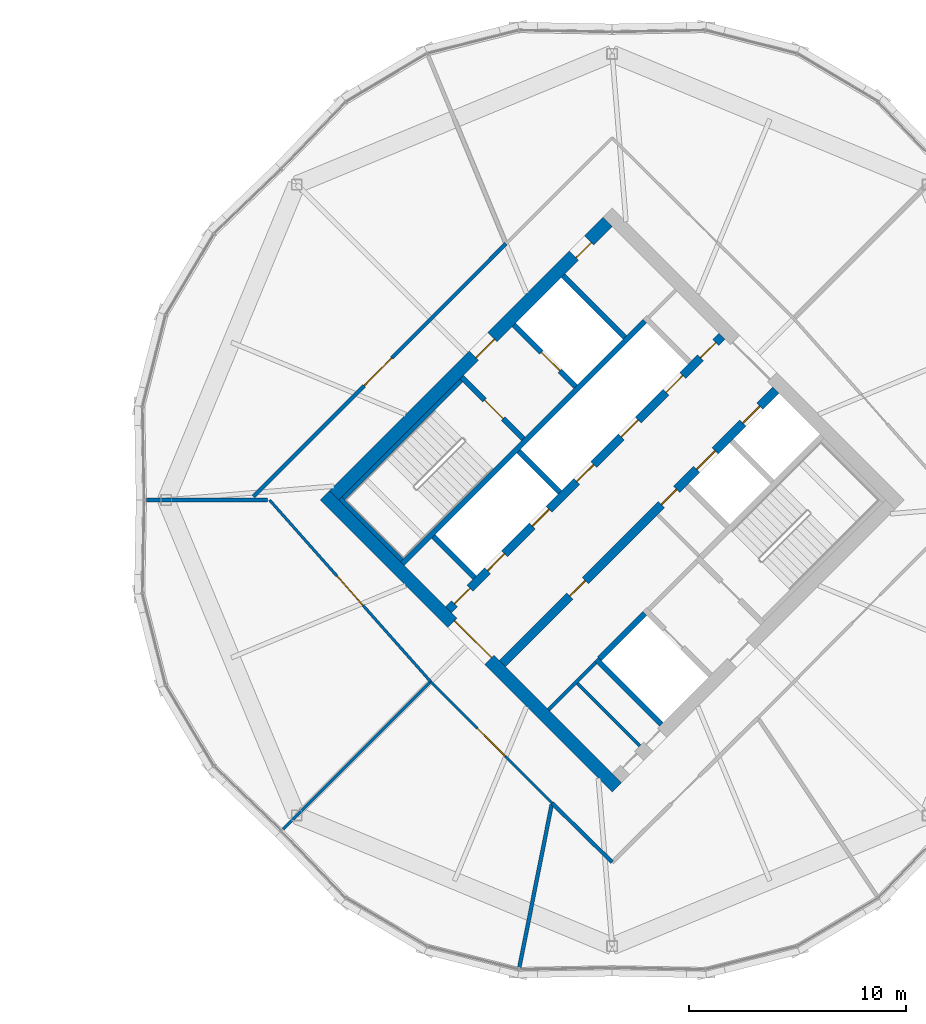
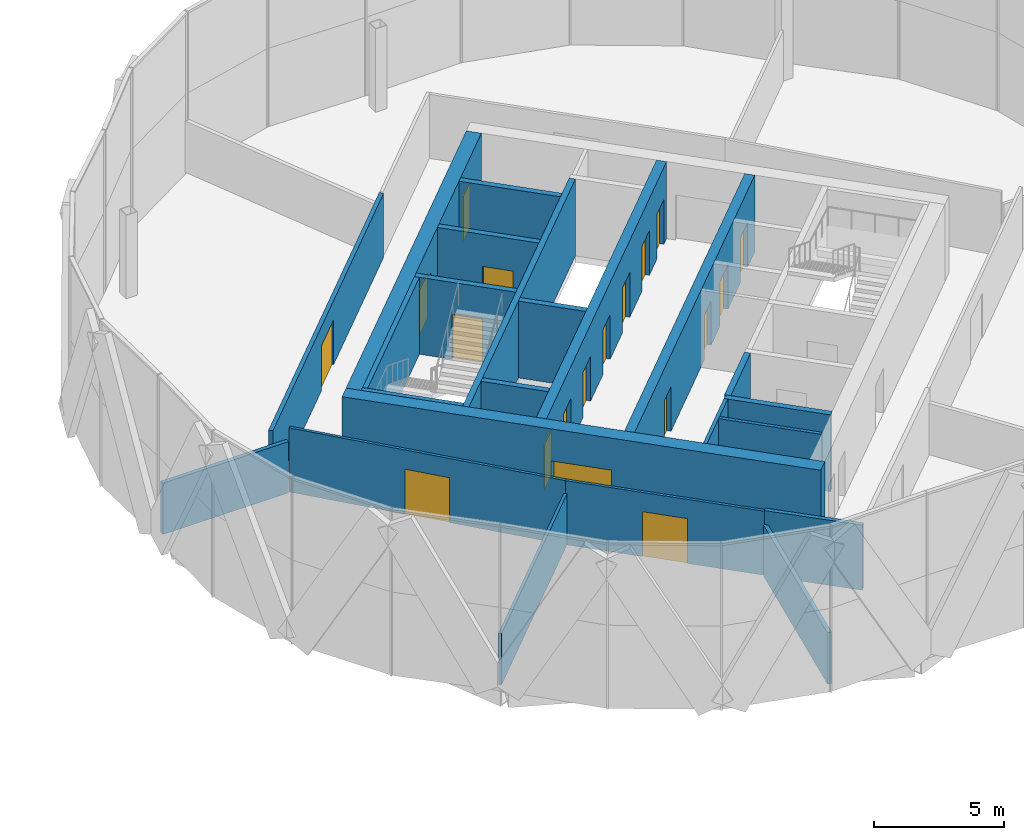
# One storey, part 21 of 27: 23 walls, 19 doors, 19 openings.
"""IFC4 building model written with IfcOpenShell, lengths in metres."""

from ifc_helpers import new_model, si_unit, direction, frame, frame_2d, origin, place, context, subcontext, project, spatial, rectangle, extrude, material, layer, layer_set, type_object, element, fill, save


model = new_model("IFC4")

# Units and contexts
model_context = context("Model", 3, precision=1e-05, world=origin(), true_north=direction((0.0, 1.0)))
body_context = subcontext(model_context, "Body", "Model", "MODEL_VIEW")
ifc_project = project(units=[si_unit("LENGTHUNIT", "METRE"), si_unit("AREAUNIT", "SQUARE_METRE"), si_unit("VOLUMEUNIT", "CUBIC_METRE"), si_unit("PLANEANGLEUNIT", "RADIAN"), si_unit("MASSUNIT", "GRAM", prefix="KILO")], contexts=[model_context])

# Site, building, storey
site_placement = place(None, origin())
site = spatial("IfcSite", under=ifc_project, at=site_placement, CompositionType="ELEMENT")
building_placement = place(site_placement, origin())
building = spatial("IfcBuilding", under=site, at=building_placement, Name="Ogive Gate Towers", CompositionType="ELEMENT")
storey_placement = place(building_placement, frame((0.0, 0.0, 189.0)))
storey = spatial("IfcBuildingStorey", under=building, at=storey_placement, Name="L45", CompositionType="ELEMENT", Elevation=189.0)

# Walls
ifc_material_1 = material(Name="Gypsum board acoustic partition")
ifc_layer_1 = layer(ifc_material_1, 0.175048828125)
ifc_layer_set_1 = layer_set([ifc_layer_1], Name="Acoustic partition 175")
wall_type_1 = type_object("IfcWallType", Name="Acoustic partition 175", PredefinedType="PARTITIONING", material=ifc_layer_set_1)
wall_1_placement = place(storey_placement, frame((14.5810546875, 0.0, 0.0), z_axis=(0.0, 0.0, 1.0), x_axis=(1.0, 0.0, 0.0)))
element("IfcWall", 1, at=wall_1_placement, inside=storey, type_object=wall_type_1, Name="Partition T2-L45-004", PredefinedType="PARTITIONING", context=body_context, shape_type="SweptSolid", body=[
    extrude(rectangle(XDim=5.571533203125, YDim=0.175048828125, at=frame_2d((2.78564453125, 0.0))), origin(), (0.0, 0.0, 1.0), 2.39990234375),
])
wall_2_placement = place(storey_placement, frame((31.731689453125, -21.5, 0.0), z_axis=(0.0, 0.0, 1.0), x_axis=(0.19472988684, 0.980856906573, 0.0)))
element("IfcWall", 2, at=wall_2_placement, inside=storey, type_object=wall_type_1, Name="Partition T2-L45-006", PredefinedType="PARTITIONING", context=body_context, shape_type="SweptSolid", body=[
    extrude(rectangle(XDim=7.62158203125, YDim=0.175048828125, at=frame_2d((3.810791015625, 0.0))), origin(), (0.0, 0.0, 1.0), 2.39990234375),
])
wall_3_placement = place(storey_placement, frame((33.23291015625, -13.9384765625, 0.0), z_axis=(0.0, 0.0, 1.0), x_axis=(0.713026824881, -0.701136753423, 0.0)))
element("IfcWall", 3, at=wall_3_placement, inside=storey, type_object=wall_type_1, Name="Partition T2-L45-011", PredefinedType="PARTITIONING", context=body_context, shape_type="SweptSolid", body=[
    extrude(rectangle(XDim=3.880859375, YDim=0.175048828125, at=frame_2d((1.9404296875, 0.0))), origin(), (0.0, 0.0, 1.0), 3.050048828125),
])

# Wall, opening, door
wall_4_placement = place(storey_placement, frame((31.11669921875, 11.789794921875, 0.0), z_axis=(0.0, 0.0, 1.0), x_axis=(-0.706698338797, -0.707514987786, 0.0)))
wall_4 = element("IfcWall", 4, at=wall_4_placement, inside=storey, type_object=wall_type_1, Name="Partition T2-L45-016", PredefinedType="PARTITIONING", context=body_context, shape_type="SweptSolid", body=[
    extrude(rectangle(XDim=16.4423828125, YDim=0.175048828125, at=frame_2d((8.22119140625, 0.0))), origin(), (0.0, 0.0, 1.0), 3.0),
])
opening_1_placement = place(wall_4_placement, frame((7.431884765625, 0.0, 0.0)))
opening_1 = element("IfcOpeningElement", 5, at=opening_1_placement, cuts=wall_4, Name="Opening T2-L45-D07", PredefinedType="OPENING", context=body_context, shape_type="SweptSolid", body=[
    extrude(rectangle(XDim=1.800048828125, YDim=2.10009765625, at=frame_2d((0.89990234375, 1.050048828125))), frame((0.0, 0.09765625, 0.0), z_axis=(0.0, -1.0, 0.0), x_axis=(1.0, 0.0, 0.0)), (0.0, 0.0, 1.0), 0.195068359375),
])
ifc_material_2 = material(Name="Timber door", Category="wood")
door_type_1 = type_object("IfcDoorType", Name="Door pair 1800", OperationType="NOTDEFINED", PredefinedType="DOOR", material=ifc_material_2)
door_1_placement = place(opening_1_placement, origin())
door_1 = element("IfcDoor", 6, at=door_1_placement, inside=storey, type_object=door_type_1, Name="Door T2-L45-D07", OperationType="DOUBLE_DOOR_DOUBLE_SWING", OverallHeight=2.10009765625, OverallWidth=1.800048828125, PredefinedType="DOOR", context=body_context, shape_type="SweptSolid", body=[
    extrude(rectangle(XDim=1.800048828125, YDim=2.10009765625, at=frame_2d((0.89990234375, 1.050048828125))), frame((0.0, 0.02490234375, 0.0), z_axis=(0.0, -1.0, 0.0), x_axis=(1.0, 0.0, 0.0)), (0.0, 0.0, 1.0), 0.050048828125),
])
fill(opening_1, door_1)

# Wall, openings, doors
ifc_material_3 = material(Name="Concrete C60/75", Category="concrete")
ifc_layer_2 = layer(ifc_material_3, 0.60009765625)
ifc_layer_set_2 = layer_set([ifc_layer_2], Name="Core wall 600 mm")
wall_type_2 = type_object("IfcWallType", Name="Core wall 600 mm", PredefinedType="SHEAR", material=ifc_layer_set_2)
wall_5_placement = place(storey_placement, frame((23.201416015625, 0.212158203125, 0.0), z_axis=(0.0, 0.0, 1.0), x_axis=(0.707106781187, 0.707106781187, 0.0)))
wall_5 = element("IfcWall", 7, at=wall_5_placement, inside=storey, type_object=wall_type_2, Name="T2 L45 Core wall 600 mm", PredefinedType="SHEAR", context=body_context, shape_type="SweptSolid", body=[
    extrude(rectangle(XDim=17.7998046875, YDim=0.60009765625, at=frame_2d((8.89990234375, 0.0))), origin(), (0.0, 0.0, 1.0), 3.60009765625),
])
opening_2_placement = place(wall_5_placement, frame((9.10009765625, 0.0, 0.0)))
opening_2 = element("IfcOpeningElement", 8, at=opening_2_placement, cuts=wall_5, Name="Opening KD-T2-L45-18", PredefinedType="OPENING", context=body_context, shape_type="SweptSolid", body=[
    extrude(rectangle(XDim=1.199951171875, YDim=2.10009765625, at=frame_2d((0.60009765625, 1.050048828125))), frame((0.0, 0.31005859375, 0.0), z_axis=(0.0, -1.0, 0.0), x_axis=(1.0, 0.0, 0.0)), (0.0, 0.0, 1.0), 0.6201171875),
])
opening_3_placement = place(wall_5_placement, frame((15.60009765625, 0.0, 0.0)))
opening_3 = element("IfcOpeningElement", 9, at=opening_3_placement, cuts=wall_5, Name="Opening KD-T2-L45-20", PredefinedType="OPENING", context=body_context, shape_type="SweptSolid", body=[
    extrude(rectangle(XDim=1.0, YDim=2.10009765625, at=frame_2d((0.5, 1.050048828125))), frame((0.0, 0.31005859375, 0.0), z_axis=(0.0, -1.0, 0.0), x_axis=(1.0, 0.0, 0.0)), (0.0, 0.0, 1.0), 0.6201171875),
])
door_type_2 = type_object("IfcDoorType", Name="Accessible WC door 1000 x 2100", OperationType="NOTDEFINED", PredefinedType="DOOR", material=ifc_material_2)
door_2_placement = place(opening_3_placement, origin())
door_2 = element("IfcDoor", 10, at=door_2_placement, inside=storey, type_object=door_type_2, Name="T2 L45 Core door", OperationType="SINGLE_SWING_LEFT", OverallHeight=2.10009765625, OverallWidth=1.0, PredefinedType="DOOR", context=body_context, shape_type="SweptSolid", body=[
    extrude(rectangle(XDim=1.0, YDim=2.10009765625, at=frame_2d((0.5, 1.050048828125))), frame((0.0, -0.125, 0.0), z_axis=(0.0, -1.0, 0.0), x_axis=(1.0, 0.0, 0.0)), (0.0, 0.0, 1.0), 0.050048828125),
])
fill(opening_3, door_2)
ifc_material_4 = material(Name="Steel fire door", Category="steel")
door_type_3 = type_object("IfcDoorType", Name="Core door FD60S 1200 x 2100", OperationType="NOTDEFINED", PredefinedType="DOOR", material=ifc_material_4)
door_3_placement = place(opening_2_placement, origin())
door_3 = element("IfcDoor", 11, at=door_3_placement, inside=storey, type_object=door_type_3, Name="T2 L45 Fire-fighting lobby door", OperationType="SINGLE_SWING_LEFT", OverallHeight=2.10009765625, OverallWidth=1.199951171875, PredefinedType="DOOR", context=body_context, shape_type="SweptSolid", body=[
    extrude(rectangle(XDim=1.199951171875, YDim=2.10009765625, at=frame_2d((0.60009765625, 1.050048828125))), frame((0.0, -0.125, 0.0), z_axis=(0.0, -1.0, 0.0), x_axis=(1.0, 0.0, 0.0)), (0.0, 0.0, 1.0), 0.050048828125),
])
fill(opening_2, door_3)

# Wall, opening, door
wall_6_placement = place(storey_placement, frame((36.212158203125, -13.222900390625, 0.0), z_axis=(0.0, 0.0, 1.0), x_axis=(-0.707106781187, 0.707106781187, 0.0)))
wall_6 = element("IfcWall", 12, at=wall_6_placement, inside=storey, type_object=wall_type_2, Name="T2 L45 Core wall 600 mm", PredefinedType="SHEAR", context=body_context, shape_type="SweptSolid", body=[
    extrude(rectangle(XDim=19.0, YDim=0.60009765625, at=frame_2d((9.5, 0.0))), origin(), (0.0, 0.0, 1.0), 3.60009765625),
])
opening_4_placement = place(wall_6_placement, frame((8.300048828125, 0.0, 0.0)))
opening_4 = element("IfcOpeningElement", 13, at=opening_4_placement, cuts=wall_6, Name="Opening KD-T2-L45-01", PredefinedType="OPENING", context=body_context, shape_type="SweptSolid", body=[
    extrude(rectangle(XDim=2.39990234375, YDim=2.10009765625, at=frame_2d((1.199951171875, 1.050048828125))), frame((0.0, 0.31005859375, 0.0), z_axis=(0.0, -1.0, 0.0), x_axis=(1.0, 0.0, 0.0)), (0.0, 0.0, 1.0), 0.6201171875),
])
door_type_4 = type_object("IfcDoorType", Name="Core double door FD60S 2400 x 2100", OperationType="DOUBLE_DOOR_SINGLE_SWING", PredefinedType="DOOR", material=ifc_material_4)
door_4_placement = place(opening_4_placement, origin())
door_4 = element("IfcDoor", 14, at=door_4_placement, inside=storey, type_object=door_type_4, Name="T2 L45 Core door double", OperationType="DOUBLE_DOOR_SINGLE_SWING", OverallHeight=2.10009765625, OverallWidth=2.39990234375, PredefinedType="DOOR", context=body_context, shape_type="SweptSolid", body=[
    extrude(rectangle(XDim=2.39990234375, YDim=2.10009765625, at=frame_2d((1.199951171875, 1.050048828125))), frame((0.0, -0.125, 0.0), z_axis=(0.0, -1.0, 0.0), x_axis=(1.0, 0.0, 0.0)), (0.0, 0.0, 1.0), 0.050048828125),
])
fill(opening_4, door_4)

# Wall
ifc_material_5 = material(Name="Gypsum board partition")
ifc_layer_3 = layer(ifc_material_5, 0.125)
ifc_layer_set_3 = layer_set([ifc_layer_3], Name="Partition 125")
wall_type_3 = type_object("IfcWallType", Name="Partition 125", PredefinedType="PARTITIONING", material=ifc_layer_set_3)
wall_7_placement = place(storey_placement, frame((20.751708984375, -15.248291015625, 0.0), z_axis=(0.0, 0.0, 1.0), x_axis=(0.707106781187, 0.707106781187, 0.0)))
element("IfcWall", 15, at=wall_7_placement, inside=storey, type_object=wall_type_3, Name="Partition T2-L45-005", PredefinedType="PARTITIONING", context=body_context, shape_type="SweptSolid", body=[
    extrude(rectangle(XDim=9.69189453125, YDim=0.125, at=frame_2d((4.845947265625, 0.0))), origin(), (0.0, 0.0, 1.0), 2.39990234375),
])

# Wall, opening, door
wall_8_placement = place(storey_placement, frame((20.239990234375, 0.0, 0.0), z_axis=(0.0, 0.0, 1.0), x_axis=(0.663674010549, -0.748021929974, 0.0)))
wall_8 = element("IfcWall", 16, at=wall_8_placement, inside=storey, type_object=wall_type_3, Name="Partition T2-L45-008", PredefinedType="PARTITIONING", context=body_context, shape_type="SweptSolid", body=[
    extrude(rectangle(XDim=11.163818359375, YDim=0.125, at=frame_2d((5.58203125, 0.0))), origin(), (0.0, 0.0, 1.0), 3.0),
])
opening_5_placement = place(wall_8_placement, frame((4.681884765625, 0.0, 0.0)))
opening_5 = element("IfcOpeningElement", 17, at=opening_5_placement, cuts=wall_8, Name="Opening T2-L45-D01", PredefinedType="OPENING", context=body_context, shape_type="SweptSolid", body=[
    extrude(rectangle(XDim=1.800048828125, YDim=2.10009765625, at=frame_2d((0.89990234375, 1.050048828125))), frame((0.0, 0.072509765625, 0.0), z_axis=(0.0, -1.0, 0.0), x_axis=(1.0, 0.0, 0.0)), (0.0, 0.0, 1.0), 0.14501953125),
])
door_5_placement = place(opening_5_placement, origin())
door_5 = element("IfcDoor", 18, at=door_5_placement, inside=storey, type_object=door_type_1, Name="Door T2-L45-D01", OperationType="DOUBLE_DOOR_DOUBLE_SWING", OverallHeight=2.10009765625, OverallWidth=1.800048828125, PredefinedType="DOOR", context=body_context, shape_type="SweptSolid", body=[
    extrude(rectangle(XDim=1.800048828125, YDim=2.10009765625, at=frame_2d((0.89990234375, 1.050048828125))), frame((0.0, 0.02490234375, 0.0), z_axis=(0.0, -1.0, 0.0), x_axis=(1.0, 0.0, 0.0)), (0.0, 0.0, 1.0), 0.050048828125),
])
fill(opening_5, door_5)

wall_9_placement = place(storey_placement, frame((27.649169921875, -8.350830078125, 0.0), z_axis=(0.0, 0.0, 1.0), x_axis=(0.706859487034, -0.707353988884, 0.0)))
wall_9 = element("IfcWall", 19, at=wall_9_placement, inside=storey, type_object=wall_type_3, Name="Partition T2-L45-009", PredefinedType="PARTITIONING", context=body_context, shape_type="SweptSolid", body=[
    extrude(rectangle(XDim=7.8994140625, YDim=0.125, at=frame_2d((3.94970703125, 0.0))), origin(), (0.0, 0.0, 1.0), 3.0),
])
opening_6_placement = place(wall_9_placement, frame((3.050048828125, 0.0, 0.0)))
opening_6 = element("IfcOpeningElement", 20, at=opening_6_placement, cuts=wall_9, Name="Opening T2-L45-D02", PredefinedType="OPENING", context=body_context, shape_type="SweptSolid", body=[
    extrude(rectangle(XDim=1.800048828125, YDim=2.10009765625, at=frame_2d((0.89990234375, 1.050048828125))), frame((0.0, 0.072509765625, 0.0), z_axis=(0.0, -1.0, 0.0), x_axis=(1.0, 0.0, 0.0)), (0.0, 0.0, 1.0), 0.14501953125),
])
door_6_placement = place(opening_6_placement, origin())
door_6 = element("IfcDoor", 21, at=door_6_placement, inside=storey, type_object=door_type_1, Name="Door T2-L45-D02", OperationType="DOUBLE_DOOR_DOUBLE_SWING", OverallHeight=2.10009765625, OverallWidth=1.800048828125, PredefinedType="DOOR", context=body_context, shape_type="SweptSolid", body=[
    extrude(rectangle(XDim=1.800048828125, YDim=2.10009765625, at=frame_2d((0.89990234375, 1.050048828125))), frame((0.0, 0.02490234375, 0.0), z_axis=(0.0, -1.0, 0.0), x_axis=(1.0, 0.0, 0.0)), (0.0, 0.0, 1.0), 0.050048828125),
])
fill(opening_6, door_6)

# Walls
ifc_layer_4 = layer(ifc_material_5, 0.14990234375)
ifc_layer_set_4 = layer_set([ifc_layer_4], Name="Room partition 150 mm")
wall_type_4 = type_object("IfcWallType", Name="Room partition 150 mm", PredefinedType="PARTITIONING", material=ifc_layer_set_4)
wall_10_placement = place(storey_placement, frame((33.0654296875, -9.652099609375, 0.0), z_axis=(0.0, 0.0, 1.0), x_axis=(0.707146476181, 0.707067083964, 0.0)))
element("IfcWall", 22, at=wall_10_placement, inside=storey, type_object=wall_type_4, Name="T2 L45 Room partition 150 mm", PredefinedType="PARTITIONING", context=body_context, shape_type="SweptSolid", body=[
    extrude(rectangle(XDim=3.0751953125, YDim=0.14990234375, at=frame_2d((1.53759765625, 0.0))), origin(), (0.0, 0.0, 1.0), 3.60009765625),
])
wall_11_placement = place(storey_placement, frame((37.272705078125, -11.313720703125, 0.0), z_axis=(0.0, 0.0, 1.0), x_axis=(-0.707076824747, 0.707136736357, 0.0)))
element("IfcWall", 23, at=wall_11_placement, inside=storey, type_object=wall_type_4, Name="T2 L45 Room partition 150 mm", PredefinedType="PARTITIONING", context=body_context, shape_type="SweptSolid", body=[
    extrude(rectangle(XDim=4.074951171875, YDim=0.14990234375, at=frame_2d((2.03759765625, 0.0))), origin(), (0.0, 0.0, 1.0), 3.60009765625),
])
ifc_layer_5 = layer(ifc_material_3, 0.25)
ifc_layer_set_5 = layer_set([ifc_layer_5], Name="Shaft wall 250 mm")
wall_type_5 = type_object("IfcWallType", Name="Shaft wall 250 mm", PredefinedType="SHEAR", material=ifc_layer_set_5)
wall_12_placement = place(storey_placement, frame((35.41650390625, -7.30078125, 0.0), z_axis=(0.0, 0.0, 1.0), x_axis=(0.707148157867, 0.707065402085, 0.0)))
element("IfcWall", 24, at=wall_12_placement, inside=storey, type_object=wall_type_5, Name="T2 L45 Shaft wall 250 mm", PredefinedType="SHEAR", context=body_context, shape_type="SweptSolid", body=[
    extrude(rectangle(XDim=2.9501953125, YDim=0.25, at=frame_2d((1.47509765625, 0.0))), origin(), (0.0, 0.0, 1.0), 3.60009765625),
])
wall_13_placement = place(storey_placement, frame((26.347900390625, -2.9345703125, 0.0), z_axis=(0.0, 0.0, 1.0), x_axis=(0.707106781187, 0.707106781187, 0.0)))
element("IfcWall", 25, at=wall_13_placement, inside=storey, type_object=wall_type_5, Name="T2 L45 Shaft wall 250 mm", PredefinedType="SHEAR", context=body_context, shape_type="SweptSolid", body=[
    extrude(rectangle(XDim=15.775146484375, YDim=0.25, at=frame_2d((7.8876953125, 0.0))), origin(), (0.0, 0.0, 1.0), 3.60009765625),
])
wall_14_placement = place(storey_placement, frame((29.67138671875, -3.57080078125, 0.0), z_axis=(0.0, 0.0, 1.0), x_axis=(-0.707152414227, 0.707061145201, 0.0)))
element("IfcWall", 26, at=wall_14_placement, inside=storey, type_object=wall_type_5, Name="T2 L45 Shaft wall 250 mm", PredefinedType="SHEAR", context=body_context, shape_type="SweptSolid", body=[
    extrude(rectangle(XDim=2.675048828125, YDim=0.25, at=frame_2d((1.33740234375, 0.0))), origin(), (0.0, 0.0, 1.0), 3.60009765625),
])
wall_15_placement = place(storey_placement, frame((38.2626953125, -10.32373046875, 0.0), z_axis=(0.0, 0.0, 1.0), x_axis=(-0.707106781187, 0.707106781187, 0.0)))
element("IfcWall", 27, at=wall_15_placement, inside=storey, type_object=wall_type_5, Name="T2 L45 Shaft wall 250 mm", PredefinedType="SHEAR", context=body_context, shape_type="SweptSolid", body=[
    extrude(rectangle(XDim=4.22509765625, YDim=0.25, at=frame_2d((2.112548828125, 0.0))), origin(), (0.0, 0.0, 1.0), 3.60009765625),
])
wall_16_placement = place(storey_placement, frame((33.595703125, 0.353515625, 0.0), z_axis=(0.0, 0.0, 1.0), x_axis=(-0.707061145201, 0.707152414227, 0.0)))
element("IfcWall", 28, at=wall_16_placement, inside=storey, type_object=wall_type_5, Name="T2 L45 Shaft wall 250 mm", PredefinedType="SHEAR", context=body_context, shape_type="SweptSolid", body=[
    extrude(rectangle(XDim=2.675048828125, YDim=0.25, at=frame_2d((1.33740234375, 0.0))), origin(), (0.0, 0.0, 1.0), 3.60009765625),
])

# Wall, opening, door
wall_17_placement = place(storey_placement, frame((31.91650390625, 2.810791015625, 0.0), z_axis=(0.0, 0.0, 1.0), x_axis=(-0.707106781187, 0.707106781187, 0.0)))
wall_17 = element("IfcWall", 29, at=wall_17_placement, inside=storey, type_object=wall_type_5, Name="T2 L45 Shaft wall 250 mm", PredefinedType="SHEAR", context=body_context, shape_type="SweptSolid", body=[
    extrude(rectangle(XDim=4.025146484375, YDim=0.25, at=frame_2d((2.0126953125, 0.0))), origin(), (0.0, 0.0, 1.0), 3.60009765625),
])
opening_7_placement = place(wall_17_placement, frame((1.324951171875, 0.0, 0.0)))
opening_7 = element("IfcOpeningElement", 30, at=opening_7_placement, cuts=wall_17, Name="Opening KD-T2-L45-16", PredefinedType="OPENING", context=body_context, shape_type="SweptSolid", body=[
    extrude(rectangle(XDim=1.199951171875, YDim=2.10009765625, at=frame_2d((0.60009765625, 1.050048828125))), frame((0.0, 0.135009765625, 0.0), z_axis=(0.0, -1.0, 0.0), x_axis=(1.0, 0.0, 0.0)), (0.0, 0.0, 1.0), 0.27001953125),
])
door_7_placement = place(opening_7_placement, origin())
door_7 = element("IfcDoor", 31, at=door_7_placement, inside=storey, type_object=door_type_3, Name="T2 L45 Stair door", OperationType="SINGLE_SWING_LEFT", OverallHeight=2.10009765625, OverallWidth=1.199951171875, PredefinedType="DOOR", context=body_context, shape_type="SweptSolid", body=[
    extrude(rectangle(XDim=1.199951171875, YDim=2.10009765625, at=frame_2d((0.60009765625, 1.050048828125))), frame((0.0, 0.02490234375, 0.0), z_axis=(0.0, -1.0, 0.0), x_axis=(1.0, 0.0, 0.0)), (0.0, 0.0, 1.0), 0.050048828125),
])
fill(opening_7, door_7)

wall_18_placement = place(storey_placement, frame((34.320556640625, 5.21484375, 0.0), z_axis=(0.0, 0.0, 1.0), x_axis=(-0.70707645213, 0.707137108942, 0.0)))
wall_18 = element("IfcWall", 32, at=wall_18_placement, inside=storey, type_object=wall_type_5, Name="T2 L45 Shaft wall 250 mm", PredefinedType="SHEAR", context=body_context, shape_type="SweptSolid", body=[
    extrude(rectangle(XDim=4.02490234375, YDim=0.25, at=frame_2d((2.012451171875, 0.0))), origin(), (0.0, 0.0, 1.0), 3.60009765625),
])
opening_8_placement = place(wall_18_placement, frame((1.02490234375, 0.0, 0.0)))
opening_8 = element("IfcOpeningElement", 33, at=opening_8_placement, cuts=wall_18, Name="Opening LD-T2-L45-12", PredefinedType="OPENING", context=body_context, shape_type="SweptSolid", body=[
    extrude(rectangle(XDim=1.199951171875, YDim=2.10009765625, at=frame_2d((0.60009765625, 1.050048828125))), frame((0.0, 0.135009765625, 0.0), z_axis=(0.0, -1.0, 0.0), x_axis=(1.0, 0.0, 0.0)), (0.0, 0.0, 1.0), 0.27001953125),
])
ifc_material_6 = material(Name="Stainless steel landing door", Category="steel")
door_type_5 = type_object("IfcDoorType", Name="Landing door 1200 x 2100", OperationType="SLIDING_TO_LEFT", PredefinedType="DOOR", material=ifc_material_6)
door_8_placement = place(opening_8_placement, origin())
door_8 = element("IfcDoor", 34, at=door_8_placement, inside=storey, type_object=door_type_5, Name="T2 L45 Lift landing door FF1", OperationType="SLIDING_TO_LEFT", OverallHeight=2.10009765625, OverallWidth=1.199951171875, PredefinedType="DOOR", context=body_context, shape_type="SweptSolid", body=[
    extrude(rectangle(XDim=1.199951171875, YDim=2.10009765625, at=frame_2d((0.60009765625, 1.050048828125))), frame((0.0, 0.02490234375, 0.0), z_axis=(0.0, -1.0, 0.0), x_axis=(1.0, 0.0, 0.0)), (0.0, 0.0, 1.0), 0.050048828125),
])
fill(opening_8, door_8)

# Wall
wall_19_placement = place(storey_placement, frame((36.58349609375, 7.477783203125, 0.0), z_axis=(0.0, 0.0, 1.0), x_axis=(-0.707137108942, 0.70707645213, 0.0)))
element("IfcWall", 35, at=wall_19_placement, inside=storey, type_object=wall_type_5, Name="T2 L45 Shaft wall 250 mm", PredefinedType="SHEAR", context=body_context, shape_type="SweptSolid", body=[
    extrude(rectangle(XDim=4.02490234375, YDim=0.25, at=frame_2d((2.012451171875, 0.0))), origin(), (0.0, 0.0, 1.0), 3.60009765625),
])

# Wall, openings, doors
ifc_layer_6 = layer(ifc_material_3, 0.39990234375)
ifc_layer_set_6 = layer_set([ifc_layer_6], Name="Spine wall 400 mm")
wall_type_6 = type_object("IfcWallType", Name="Spine wall 400 mm", PredefinedType="SHEAR", material=ifc_layer_set_6)
wall_20_placement = place(storey_placement, frame((30.944091796875, -7.53076171875, 0.0), z_axis=(0.0, 0.0, 1.0), x_axis=(0.707106781187, 0.707106781187, 0.0)))
wall_20 = element("IfcWall", 36, at=wall_20_placement, inside=storey, type_object=wall_type_6, Name="T2 L45 Spine wall 400 mm", PredefinedType="SHEAR", context=body_context, shape_type="SweptSolid", body=[
    extrude(rectangle(XDim=17.80029296875, YDim=0.39990234375, at=frame_2d((8.900146484375, 0.0))), origin(), (0.0, 0.0, 1.0), 3.60009765625),
])
opening_9_placement = place(wall_20_placement, frame((12.64990234375, 0.0, 0.0)))
opening_9 = element("IfcOpeningElement", 37, at=opening_9_placement, cuts=wall_20, Name="Opening LD-T2-L45-10", PredefinedType="OPENING", context=body_context, shape_type="SweptSolid", body=[
    extrude(rectangle(XDim=1.199951171875, YDim=2.10009765625, at=frame_2d((0.60009765625, 1.050048828125))), frame((0.0, 0.2099609375, 0.0), z_axis=(0.0, -1.0, 0.0), x_axis=(1.0, 0.0, 0.0)), (0.0, 0.0, 1.0), 0.419921875),
])
opening_10_placement = place(wall_20_placement, frame((15.64990234375, 0.0, 0.0)))
opening_10 = element("IfcOpeningElement", 38, at=opening_10_placement, cuts=wall_20, Name="Opening LD-T2-L45-11", PredefinedType="OPENING", context=body_context, shape_type="SweptSolid", body=[
    extrude(rectangle(XDim=1.10009765625, YDim=2.10009765625, at=frame_2d((0.550048828125, 1.050048828125))), frame((0.0, 0.2099609375, 0.0), z_axis=(0.0, -1.0, 0.0), x_axis=(1.0, 0.0, 0.0)), (0.0, 0.0, 1.0), 0.419921875),
])
opening_11_placement = place(wall_20_placement, frame((4.39990234375, 0.0, 0.0)))
opening_11 = element("IfcOpeningElement", 39, at=opening_11_placement, cuts=wall_20, Name="Opening KD-T2-L45-14", PredefinedType="OPENING", context=body_context, shape_type="SweptSolid", body=[
    extrude(rectangle(XDim=1.0, YDim=2.10009765625, at=frame_2d((0.5, 1.050048828125))), frame((0.0, 0.2099609375, 0.0), z_axis=(0.0, -1.0, 0.0), x_axis=(1.0, 0.0, 0.0)), (0.0, 0.0, 1.0), 0.419921875),
])
opening_12_placement = place(wall_20_placement, frame((10.35009765625, 0.0, 0.0)))
opening_12 = element("IfcOpeningElement", 40, at=opening_12_placement, cuts=wall_20, Name="Opening KD-T2-L45-15", PredefinedType="OPENING", context=body_context, shape_type="SweptSolid", body=[
    extrude(rectangle(XDim=1.0, YDim=2.10009765625, at=frame_2d((0.5, 1.050048828125))), frame((0.0, 0.2099609375, 0.0), z_axis=(0.0, -1.0, 0.0), x_axis=(1.0, 0.0, 0.0)), (0.0, 0.0, 1.0), 0.419921875),
])
door_type_6 = type_object("IfcDoorType", Name="Core door FD60S 1000 x 2100", OperationType="NOTDEFINED", PredefinedType="DOOR", material=ifc_material_4)
door_9_placement = place(opening_11_placement, origin())
door_9 = element("IfcDoor", 41, at=door_9_placement, inside=storey, type_object=door_type_6, Name="T2 L45 Core door", OperationType="SINGLE_SWING_LEFT", OverallHeight=2.10009765625, OverallWidth=1.0, PredefinedType="DOOR", context=body_context, shape_type="SweptSolid", body=[
    extrude(rectangle(XDim=1.0, YDim=2.10009765625, at=frame_2d((0.5, 1.050048828125))), frame((0.0, 0.02490234375, 0.0), z_axis=(0.0, -1.0, 0.0), x_axis=(1.0, 0.0, 0.0)), (0.0, 0.0, 1.0), 0.050048828125),
])
fill(opening_11, door_9)
door_10_placement = place(opening_12_placement, origin())
door_10 = element("IfcDoor", 42, at=door_10_placement, inside=storey, type_object=door_type_6, Name="T2 L45 Core door", OperationType="SINGLE_SWING_RIGHT", OverallHeight=2.10009765625, OverallWidth=1.0, PredefinedType="DOOR", context=body_context, shape_type="SweptSolid", body=[
    extrude(rectangle(XDim=1.0, YDim=2.10009765625, at=frame_2d((0.5, 1.050048828125))), frame((0.0, 0.02490234375, 0.0), z_axis=(0.0, -1.0, 0.0), x_axis=(1.0, 0.0, 0.0)), (0.0, 0.0, 1.0), 0.050048828125),
])
fill(opening_12, door_10)
door_type_7 = type_object("IfcDoorType", Name="Landing door 1100 x 2100", OperationType="SLIDING_TO_LEFT", PredefinedType="DOOR", material=ifc_material_6)
door_11_placement = place(opening_10_placement, origin())
door_11 = element("IfcDoor", 43, at=door_11_placement, inside=storey, type_object=door_type_7, Name="T2 L45 Lift landing door B6", OperationType="SLIDING_TO_LEFT", OverallHeight=2.10009765625, OverallWidth=1.10009765625, PredefinedType="DOOR", context=body_context, shape_type="SweptSolid", body=[
    extrude(rectangle(XDim=1.10009765625, YDim=2.10009765625, at=frame_2d((0.550048828125, 1.050048828125))), frame((0.0, 0.02490234375, 0.0), z_axis=(0.0, -1.0, 0.0), x_axis=(1.0, 0.0, 0.0)), (0.0, 0.0, 1.0), 0.050048828125),
])
fill(opening_10, door_11)
door_12_placement = place(opening_9_placement, origin())
door_12 = element("IfcDoor", 44, at=door_12_placement, inside=storey, type_object=door_type_5, Name="T2 L45 Lift landing door SVC", OperationType="SLIDING_TO_LEFT", OverallHeight=2.10009765625, OverallWidth=1.199951171875, PredefinedType="DOOR", context=body_context, shape_type="SweptSolid", body=[
    extrude(rectangle(XDim=1.199951171875, YDim=2.10009765625, at=frame_2d((0.60009765625, 1.050048828125))), frame((0.0, 0.02490234375, 0.0), z_axis=(0.0, -1.0, 0.0), x_axis=(1.0, 0.0, 0.0)), (0.0, 0.0, 1.0), 0.050048828125),
])
fill(opening_9, door_12)

wall_21_placement = place(storey_placement, frame((28.46923828125, -5.055908203125, 0.0), z_axis=(0.0, 0.0, 1.0), x_axis=(0.707106781187, 0.707106781187, 0.0)))
wall_21 = element("IfcWall", 45, at=wall_21_placement, inside=storey, type_object=wall_type_6, Name="T2 L45 Spine wall 400 mm", PredefinedType="SHEAR", context=body_context, shape_type="SweptSolid", body=[
    extrude(rectangle(XDim=17.80029296875, YDim=0.39990234375, at=frame_2d((8.900146484375, 0.0))), origin(), (0.0, 0.0, 1.0), 3.60009765625),
])
opening_13_placement = place(wall_21_placement, frame((0.39990234375, 0.0, 0.0)))
opening_13 = element("IfcOpeningElement", 46, at=opening_13_placement, cuts=wall_21, Name="Opening KD-T2-L45-03", PredefinedType="OPENING", context=body_context, shape_type="SweptSolid", body=[
    extrude(rectangle(XDim=1.0, YDim=2.10009765625, at=frame_2d((0.5, 1.050048828125))), frame((0.0, 0.2099609375, 0.0), z_axis=(0.0, -1.0, 0.0), x_axis=(1.0, 0.0, 0.0)), (0.0, 0.0, 1.0), 0.419921875),
])
opening_14_placement = place(wall_21_placement, frame((2.550048828125, 0.0, 0.0)))
opening_14 = element("IfcOpeningElement", 47, at=opening_14_placement, cuts=wall_21, Name="Opening LD-T2-L45-04", PredefinedType="OPENING", context=body_context, shape_type="SweptSolid", body=[
    extrude(rectangle(XDim=1.10009765625, YDim=2.10009765625, at=frame_2d((0.550048828125, 1.050048828125))), frame((0.0, 0.2099609375, 0.0), z_axis=(0.0, -1.0, 0.0), x_axis=(1.0, 0.0, 0.0)), (0.0, 0.0, 1.0), 0.419921875),
])
opening_15_placement = place(wall_21_placement, frame((5.449951171875, 0.0, 0.0)))
opening_15 = element("IfcOpeningElement", 48, at=opening_15_placement, cuts=wall_21, Name="Opening LD-T2-L45-05", PredefinedType="OPENING", context=body_context, shape_type="SweptSolid", body=[
    extrude(rectangle(XDim=1.10009765625, YDim=2.10009765625, at=frame_2d((0.550048828125, 1.050048828125))), frame((0.0, 0.2099609375, 0.0), z_axis=(0.0, -1.0, 0.0), x_axis=(1.0, 0.0, 0.0)), (0.0, 0.0, 1.0), 0.419921875),
])
opening_16_placement = place(wall_21_placement, frame((8.35009765625, 0.0, 0.0)))
opening_16 = element("IfcOpeningElement", 49, at=opening_16_placement, cuts=wall_21, Name="Opening LD-T2-L45-06", PredefinedType="OPENING", context=body_context, shape_type="SweptSolid", body=[
    extrude(rectangle(XDim=1.10009765625, YDim=2.10009765625, at=frame_2d((0.550048828125, 1.050048828125))), frame((0.0, 0.2099609375, 0.0), z_axis=(0.0, -1.0, 0.0), x_axis=(1.0, 0.0, 0.0)), (0.0, 0.0, 1.0), 0.419921875),
])
opening_17_placement = place(wall_21_placement, frame((11.25, 0.0, 0.0)))
opening_17 = element("IfcOpeningElement", 50, at=opening_17_placement, cuts=wall_21, Name="Opening LD-T2-L45-07", PredefinedType="OPENING", context=body_context, shape_type="SweptSolid", body=[
    extrude(rectangle(XDim=1.10009765625, YDim=2.10009765625, at=frame_2d((0.550048828125, 1.050048828125))), frame((0.0, 0.2099609375, 0.0), z_axis=(0.0, -1.0, 0.0), x_axis=(1.0, 0.0, 0.0)), (0.0, 0.0, 1.0), 0.419921875),
])
opening_18_placement = place(wall_21_placement, frame((14.14990234375, 0.0, 0.0)))
opening_18 = element("IfcOpeningElement", 51, at=opening_18_placement, cuts=wall_21, Name="Opening LD-T2-L45-08", PredefinedType="OPENING", context=body_context, shape_type="SweptSolid", body=[
    extrude(rectangle(XDim=1.10009765625, YDim=2.10009765625, at=frame_2d((0.550048828125, 1.050048828125))), frame((0.0, 0.2099609375, 0.0), z_axis=(0.0, -1.0, 0.0), x_axis=(1.0, 0.0, 0.0)), (0.0, 0.0, 1.0), 0.419921875),
])
opening_19_placement = place(wall_21_placement, frame((16.39990234375, 0.0, 0.0)))
opening_19 = element("IfcOpeningElement", 52, at=opening_19_placement, cuts=wall_21, Name="Opening KD-T2-L45-09", PredefinedType="OPENING", context=body_context, shape_type="SweptSolid", body=[
    extrude(rectangle(XDim=1.0, YDim=2.10009765625, at=frame_2d((0.5, 1.050048828125))), frame((0.0, 0.2099609375, 0.0), z_axis=(0.0, -1.0, 0.0), x_axis=(1.0, 0.0, 0.0)), (0.0, 0.0, 1.0), 0.419921875),
])
door_13_placement = place(opening_13_placement, origin())
door_13 = element("IfcDoor", 53, at=door_13_placement, inside=storey, type_object=door_type_6, Name="T2 L45 Core door", OperationType="SINGLE_SWING_RIGHT", OverallHeight=2.10009765625, OverallWidth=1.0, PredefinedType="DOOR", context=body_context, shape_type="SweptSolid", body=[
    extrude(rectangle(XDim=1.0, YDim=2.10009765625, at=frame_2d((0.5, 1.050048828125))), frame((0.0, 0.02490234375, 0.0), z_axis=(0.0, -1.0, 0.0), x_axis=(1.0, 0.0, 0.0)), (0.0, 0.0, 1.0), 0.050048828125),
])
fill(opening_13, door_13)
door_14_placement = place(opening_19_placement, origin())
door_14 = element("IfcDoor", 54, at=door_14_placement, inside=storey, type_object=door_type_6, Name="T2 L45 Core door", OperationType="SINGLE_SWING_RIGHT", OverallHeight=2.10009765625, OverallWidth=1.0, PredefinedType="DOOR", context=body_context, shape_type="SweptSolid", body=[
    extrude(rectangle(XDim=1.0, YDim=2.10009765625, at=frame_2d((0.5, 1.050048828125))), frame((0.0, 0.02490234375, 0.0), z_axis=(0.0, -1.0, 0.0), x_axis=(1.0, 0.0, 0.0)), (0.0, 0.0, 1.0), 0.050048828125),
])
fill(opening_19, door_14)
door_15_placement = place(opening_14_placement, origin())
door_15 = element("IfcDoor", 55, at=door_15_placement, inside=storey, type_object=door_type_7, Name="T2 L45 Lift landing door B1", OperationType="SLIDING_TO_LEFT", OverallHeight=2.10009765625, OverallWidth=1.10009765625, PredefinedType="DOOR", context=body_context, shape_type="SweptSolid", body=[
    extrude(rectangle(XDim=1.10009765625, YDim=2.10009765625, at=frame_2d((0.550048828125, 1.050048828125))), frame((0.0, 0.02490234375, 0.0), z_axis=(0.0, -1.0, 0.0), x_axis=(1.0, 0.0, 0.0)), (0.0, 0.0, 1.0), 0.050048828125),
])
fill(opening_14, door_15)
door_16_placement = place(opening_15_placement, origin())
door_16 = element("IfcDoor", 56, at=door_16_placement, inside=storey, type_object=door_type_7, Name="T2 L45 Lift landing door B2", OperationType="SLIDING_TO_LEFT", OverallHeight=2.10009765625, OverallWidth=1.10009765625, PredefinedType="DOOR", context=body_context, shape_type="SweptSolid", body=[
    extrude(rectangle(XDim=1.10009765625, YDim=2.10009765625, at=frame_2d((0.550048828125, 1.050048828125))), frame((0.0, 0.02490234375, 0.0), z_axis=(0.0, -1.0, 0.0), x_axis=(1.0, 0.0, 0.0)), (0.0, 0.0, 1.0), 0.050048828125),
])
fill(opening_15, door_16)
door_17_placement = place(opening_16_placement, origin())
door_17 = element("IfcDoor", 57, at=door_17_placement, inside=storey, type_object=door_type_7, Name="T2 L45 Lift landing door B3", OperationType="SLIDING_TO_LEFT", OverallHeight=2.10009765625, OverallWidth=1.10009765625, PredefinedType="DOOR", context=body_context, shape_type="SweptSolid", body=[
    extrude(rectangle(XDim=1.10009765625, YDim=2.10009765625, at=frame_2d((0.550048828125, 1.050048828125))), frame((0.0, 0.02490234375, 0.0), z_axis=(0.0, -1.0, 0.0), x_axis=(1.0, 0.0, 0.0)), (0.0, 0.0, 1.0), 0.050048828125),
])
fill(opening_16, door_17)
door_18_placement = place(opening_17_placement, origin())
door_18 = element("IfcDoor", 58, at=door_18_placement, inside=storey, type_object=door_type_7, Name="T2 L45 Lift landing door B4", OperationType="SLIDING_TO_LEFT", OverallHeight=2.10009765625, OverallWidth=1.10009765625, PredefinedType="DOOR", context=body_context, shape_type="SweptSolid", body=[
    extrude(rectangle(XDim=1.10009765625, YDim=2.10009765625, at=frame_2d((0.550048828125, 1.050048828125))), frame((0.0, 0.02490234375, 0.0), z_axis=(0.0, -1.0, 0.0), x_axis=(1.0, 0.0, 0.0)), (0.0, 0.0, 1.0), 0.050048828125),
])
fill(opening_17, door_18)
door_19_placement = place(opening_18_placement, origin())
door_19 = element("IfcDoor", 59, at=door_19_placement, inside=storey, type_object=door_type_7, Name="T2 L45 Lift landing door B5", OperationType="SLIDING_TO_LEFT", OverallHeight=2.10009765625, OverallWidth=1.10009765625, PredefinedType="DOOR", context=body_context, shape_type="SweptSolid", body=[
    extrude(rectangle(XDim=1.10009765625, YDim=2.10009765625, at=frame_2d((0.550048828125, 1.050048828125))), frame((0.0, 0.02490234375, 0.0), z_axis=(0.0, -1.0, 0.0), x_axis=(1.0, 0.0, 0.0)), (0.0, 0.0, 1.0), 0.050048828125),
])
fill(opening_18, door_19)

# Walls
ifc_layer_7 = layer(ifc_material_3, 0.199951171875)
ifc_layer_set_7 = layer_set([ifc_layer_7], Name="Stair wall 200 mm")
wall_type_7 = type_object("IfcWallType", Name="Stair wall 200 mm", PredefinedType="SHEAR", material=ifc_layer_set_7)
wall_22_placement = place(storey_placement, frame((23.62548828125, 0.07080078125, 0.0), z_axis=(0.0, 0.0, 1.0), x_axis=(0.707122685701, 0.707090876314, 0.0)))
element("IfcWall", 60, at=wall_22_placement, inside=storey, type_object=wall_type_7, Name="T2 L45 Stair wall 200 mm", PredefinedType="SHEAR", context=body_context, shape_type="SweptSolid", body=[
    extrude(rectangle(XDim=7.675048828125, YDim=0.199951171875, at=frame_2d((3.83740234375, 0.0))), origin(), (0.0, 0.0, 1.0), 3.60009765625),
])
wall_23_placement = place(storey_placement, frame((26.330322265625, -2.775390625, 0.0), z_axis=(0.0, 0.0, 1.0), x_axis=(-0.707106781187, 0.707106781187, 0.0)))
element("IfcWall", 61, at=wall_23_placement, inside=storey, type_object=wall_type_7, Name="T2 L45 Stair wall 200 mm", PredefinedType="SHEAR", context=body_context, shape_type="SweptSolid", body=[
    extrude(rectangle(XDim=4.025146484375, YDim=0.199951171875, at=frame_2d((2.0126953125, 0.0))), origin(), (0.0, 0.0, 1.0), 3.60009765625),
])

save(model, "model.ifc")
